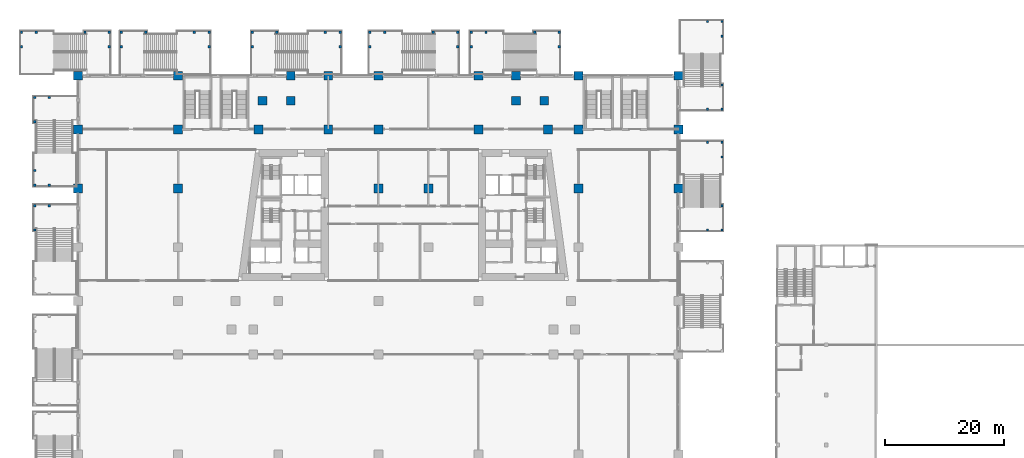
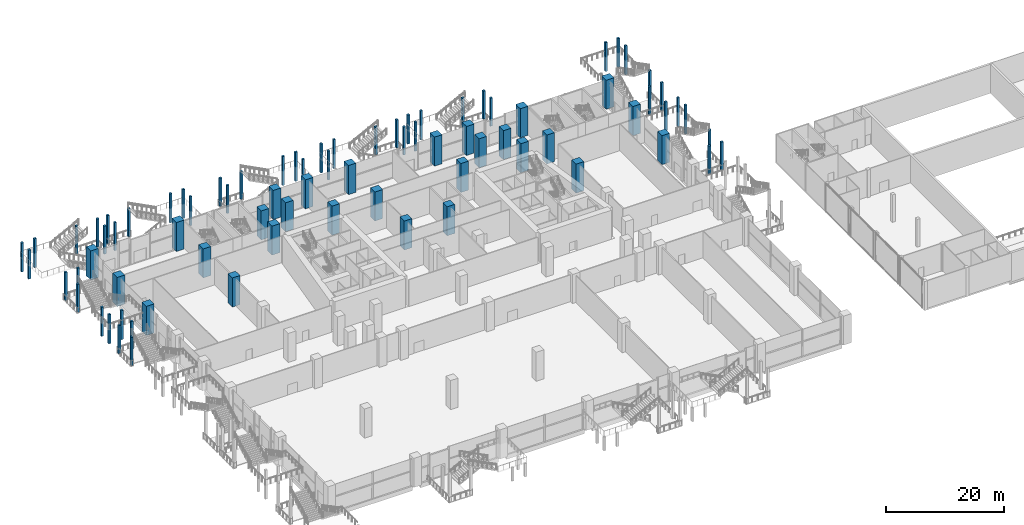
# One storey, part 2 of 49: 79 columns.
"""IFC4 building model written with IfcOpenShell, lengths in metres."""

from ifc_helpers import new_model, si_unit, direction, frame, origin, origin_2d, place, context, subcontext, project, spatial, rectangle, extrude, material, material_profile, profile_set, type_object, element, save


model = new_model("IFC4")

# Units and contexts
model_context = context("Model", 3, precision=1e-05, world=origin(), true_north=direction((0.0, 1.0)))
body_context = subcontext(model_context, "Body", "Model", "MODEL_VIEW")
ifc_project = project(units=[si_unit("LENGTHUNIT", "METRE"), si_unit("AREAUNIT", "SQUARE_METRE"), si_unit("VOLUMEUNIT", "CUBIC_METRE"), si_unit("PLANEANGLEUNIT", "RADIAN"), si_unit("MASSUNIT", "GRAM", prefix="KILO")], contexts=[model_context])

# Site, building, storey
site_placement = place(None, origin())
site = spatial("IfcSite", under=ifc_project, at=site_placement, CompositionType="ELEMENT")
building_placement = place(site_placement, origin())
building = spatial("IfcBuilding", under=site, at=building_placement, Name="Candeia Pilgrim Tower and Theatre", CompositionType="ELEMENT")
storey_placement = place(building_placement, frame((0.0, 0.0, 17.0)))
storey = spatial("IfcBuildingStorey", under=building, at=storey_placement, Name="L02", CompositionType="ELEMENT", Elevation=17.0)

# Columns
ifc_material_1 = material(Name="Concrete C40/50", Category="concrete")
ifc_material_profile_1 = material_profile(ifc_material_1, rectangle(XDim=0.39990234375, YDim=0.39990234375, at=origin_2d()))
ifc_profile_set_1 = profile_set([ifc_material_profile_1], Name="Concrete C40/50")
column_type_1 = type_object("IfcColumnType", Name="Escape stair column RC 400x400", PredefinedType="COLUMN", material=ifc_profile_set_1)
for number, where, z_axis, x_axis, name in (
    (1, (166.89990234375, 139.14990234375, 0.0), (0.0, 0.0, 1.0), (1.0, 0.0, 0.0), "External escape stair ES2 column N1.3"),
    (2, (166.89990234375, 143.25, 0.0), (0.0, 0.0, 1.0), (1.0, 0.0, 0.0), "External escape stair ES2 column N2.3"),
    (3, (164.47509765625, 139.14990234375, 0.0), (0.0, 0.0, 1.0), (1.0, 0.0, 0.0), "External escape stair ES2 column N3.3"),
):
    element("IfcColumn", number, at=place(storey_placement, frame(where, z_axis=z_axis, x_axis=x_axis)), inside=storey, type_object=column_type_1, Name=name, PredefinedType="COLUMN", context=body_context, shape_type="SweptSolid", body=[
        extrude(rectangle(XDim=0.39990234375, YDim=0.39990234375, at=origin_2d()), origin(), (0.0, 0.0, 1.0), 5.800048828125),
    ])
for number, where, z_axis, x_axis, name in (
    (4, (166.89990234375, 151.409912109375, 0.0), (0.0, 0.0, 1.0), (1.0, 0.0, 0.0), "External escape stair ES2 column F1.3"),
    (5, (166.89990234375, 153.909912109375, 0.0), (0.0, 0.0, 1.0), (1.0, 0.0, 0.0), "External escape stair ES2 column F2.3"),
    (6, (164.47509765625, 153.909912109375, 0.0), (0.0, 0.0, 1.0), (1.0, 0.0, 0.0), "External escape stair ES2 column F3.3"),
):
    element("IfcColumn", number, at=place(storey_placement, frame(where, z_axis=z_axis, x_axis=x_axis)), inside=storey, type_object=column_type_1, Name=name, PredefinedType="COLUMN", context=body_context, shape_type="SweptSolid", body=[
        extrude(rectangle(XDim=0.39990234375, YDim=0.39990234375, at=origin_2d()), origin(), (0.0, 0.0, 1.0), 6.0),
    ])
for number, where, z_axis, x_axis, name in (
    (7, (64.050048828125, 152.10009765625, 0.0), (0.0, 0.0, 1.0), (1.0, 0.0, 0.0), "External escape stair ES3 column N1.3"),
    (8, (59.949951171875, 152.10009765625, 0.0), (0.0, 0.0, 1.0), (1.0, 0.0, 0.0), "External escape stair ES3 column N2.3"),
    (9, (64.050048828125, 149.675048828125, 0.0), (0.0, 0.0, 1.0), (1.0, 0.0, 0.0), "External escape stair ES3 column N3.3"),
):
    element("IfcColumn", number, at=place(storey_placement, frame(where, z_axis=z_axis, x_axis=x_axis)), inside=storey, type_object=column_type_1, Name=name, PredefinedType="COLUMN", context=body_context, shape_type="SweptSolid", body=[
        extrude(rectangle(XDim=0.39990234375, YDim=0.39990234375, at=origin_2d()), origin(), (0.0, 0.0, 1.0), 5.800048828125),
    ])
for number, where, z_axis, x_axis, name in (
    (10, (51.7900390625, 152.10009765625, 0.0), (0.0, 0.0, 1.0), (1.0, 0.0, 0.0), "External escape stair ES3 column F1.3"),
    (11, (49.2900390625, 152.10009765625, 0.0), (0.0, 0.0, 1.0), (1.0, 0.0, 0.0), "External escape stair ES3 column F2.3"),
    (12, (49.2900390625, 149.675048828125, 0.0), (0.0, 0.0, 1.0), (1.0, 0.0, 0.0), "External escape stair ES3 column F3.3"),
):
    element("IfcColumn", number, at=place(storey_placement, frame(where, z_axis=z_axis, x_axis=x_axis)), inside=storey, type_object=column_type_1, Name=name, PredefinedType="COLUMN", context=body_context, shape_type="SweptSolid", body=[
        extrude(rectangle(XDim=0.39990234375, YDim=0.39990234375, at=origin_2d()), origin(), (0.0, 0.0, 1.0), 6.0),
    ])
for number, where, z_axis, x_axis, name in (
    (13, (66.050048828125, 152.10009765625, 0.0), (0.0, 0.0, 1.0), (1.0, 0.0, 0.0), "External escape stair ES4 column N1.3"),
    (14, (70.14990234375, 152.10009765625, 0.0), (0.0, 0.0, 1.0), (1.0, 0.0, 0.0), "External escape stair ES4 column N2.3"),
    (15, (66.050048828125, 149.675048828125, 0.0), (0.0, 0.0, 1.0), (1.0, 0.0, 0.0), "External escape stair ES4 column N3.3"),
):
    element("IfcColumn", number, at=place(storey_placement, frame(where, z_axis=z_axis, x_axis=x_axis)), inside=storey, type_object=column_type_1, Name=name, PredefinedType="COLUMN", context=body_context, shape_type="SweptSolid", body=[
        extrude(rectangle(XDim=0.39990234375, YDim=0.39990234375, at=origin_2d()), origin(), (0.0, 0.0, 1.0), 5.800048828125),
    ])
for number, where, z_axis, x_axis, name in (
    (16, (78.31005859375, 152.10009765625, 0.0), (0.0, 0.0, 1.0), (1.0, 0.0, 0.0), "External escape stair ES4 column F1.3"),
    (17, (80.81005859375, 152.10009765625, 0.0), (0.0, 0.0, 1.0), (1.0, 0.0, 0.0), "External escape stair ES4 column F2.3"),
    (18, (80.81005859375, 149.675048828125, 0.0), (0.0, 0.0, 1.0), (1.0, 0.0, 0.0), "External escape stair ES4 column F3.3"),
):
    element("IfcColumn", number, at=place(storey_placement, frame(where, z_axis=z_axis, x_axis=x_axis)), inside=storey, type_object=column_type_1, Name=name, PredefinedType="COLUMN", context=body_context, shape_type="SweptSolid", body=[
        extrude(rectangle(XDim=0.39990234375, YDim=0.39990234375, at=origin_2d()), origin(), (0.0, 0.0, 1.0), 6.0),
    ])
for number, where, z_axis, x_axis, name in (
    (19, (88.050048828125, 152.10009765625, 0.0), (0.0, 0.0, 1.0), (1.0, 0.0, 0.0), "External escape stair ES5 column N1.3"),
    (20, (92.14990234375, 152.10009765625, 0.0), (0.0, 0.0, 1.0), (1.0, 0.0, 0.0), "External escape stair ES5 column N2.3"),
    (21, (88.050048828125, 149.675048828125, 0.0), (0.0, 0.0, 1.0), (1.0, 0.0, 0.0), "External escape stair ES5 column N3.3"),
):
    element("IfcColumn", number, at=place(storey_placement, frame(where, z_axis=z_axis, x_axis=x_axis)), inside=storey, type_object=column_type_1, Name=name, PredefinedType="COLUMN", context=body_context, shape_type="SweptSolid", body=[
        extrude(rectangle(XDim=0.39990234375, YDim=0.39990234375, at=origin_2d()), origin(), (0.0, 0.0, 1.0), 5.800048828125),
    ])
for number, where, z_axis, x_axis, name in (
    (22, (100.31005859375, 152.10009765625, 0.0), (0.0, 0.0, 1.0), (1.0, 0.0, 0.0), "External escape stair ES5 column F1.3"),
    (23, (102.81005859375, 152.10009765625, 0.0), (0.0, 0.0, 1.0), (1.0, 0.0, 0.0), "External escape stair ES5 column F2.3"),
    (24, (102.81005859375, 149.675048828125, 0.0), (0.0, 0.0, 1.0), (1.0, 0.0, 0.0), "External escape stair ES5 column F3.3"),
):
    element("IfcColumn", number, at=place(storey_placement, frame(where, z_axis=z_axis, x_axis=x_axis)), inside=storey, type_object=column_type_1, Name=name, PredefinedType="COLUMN", context=body_context, shape_type="SweptSolid", body=[
        extrude(rectangle(XDim=0.39990234375, YDim=0.39990234375, at=origin_2d()), origin(), (0.0, 0.0, 1.0), 6.0),
    ])
for number, where, z_axis, x_axis, name in (
    (25, (122.550048828125, 152.10009765625, 0.0), (0.0, 0.0, 1.0), (1.0, 0.0, 0.0), "External escape stair ES6 column N1.3"),
    (26, (118.449951171875, 152.10009765625, 0.0), (0.0, 0.0, 1.0), (1.0, 0.0, 0.0), "External escape stair ES6 column N2.3"),
    (27, (122.550048828125, 149.675048828125, 0.0), (0.0, 0.0, 1.0), (1.0, 0.0, 0.0), "External escape stair ES6 column N3.3"),
):
    element("IfcColumn", number, at=place(storey_placement, frame(where, z_axis=z_axis, x_axis=x_axis)), inside=storey, type_object=column_type_1, Name=name, PredefinedType="COLUMN", context=body_context, shape_type="SweptSolid", body=[
        extrude(rectangle(XDim=0.39990234375, YDim=0.39990234375, at=origin_2d()), origin(), (0.0, 0.0, 1.0), 5.800048828125),
    ])
for number, where, z_axis, x_axis, name in (
    (28, (110.2900390625, 152.10009765625, 0.0), (0.0, 0.0, 1.0), (1.0, 0.0, 0.0), "External escape stair ES6 column F1.3"),
    (29, (107.7900390625, 152.10009765625, 0.0), (0.0, 0.0, 1.0), (1.0, 0.0, 0.0), "External escape stair ES6 column F2.3"),
    (30, (107.7900390625, 149.675048828125, 0.0), (0.0, 0.0, 1.0), (1.0, 0.0, 0.0), "External escape stair ES6 column F3.3"),
):
    element("IfcColumn", number, at=place(storey_placement, frame(where, z_axis=z_axis, x_axis=x_axis)), inside=storey, type_object=column_type_1, Name=name, PredefinedType="COLUMN", context=body_context, shape_type="SweptSolid", body=[
        extrude(rectangle(XDim=0.39990234375, YDim=0.39990234375, at=origin_2d()), origin(), (0.0, 0.0, 1.0), 6.0),
    ])
for number, where, z_axis, x_axis, name in (
    (31, (139.550048828125, 152.10009765625, 0.0), (0.0, 0.0, 1.0), (1.0, 0.0, 0.0), "External escape stair ES7 column N1.3"),
    (32, (135.449951171875, 152.10009765625, 0.0), (0.0, 0.0, 1.0), (1.0, 0.0, 0.0), "External escape stair ES7 column N2.3"),
    (33, (139.550048828125, 149.675048828125, 0.0), (0.0, 0.0, 1.0), (1.0, 0.0, 0.0), "External escape stair ES7 column N3.3"),
):
    element("IfcColumn", number, at=place(storey_placement, frame(where, z_axis=z_axis, x_axis=x_axis)), inside=storey, type_object=column_type_1, Name=name, PredefinedType="COLUMN", context=body_context, shape_type="SweptSolid", body=[
        extrude(rectangle(XDim=0.39990234375, YDim=0.39990234375, at=origin_2d()), origin(), (0.0, 0.0, 1.0), 5.800048828125),
    ])
for number, where, z_axis, x_axis, name in (
    (34, (127.2900390625, 152.10009765625, 0.0), (0.0, 0.0, 1.0), (1.0, 0.0, 0.0), "External escape stair ES7 column F1.3"),
    (35, (124.7900390625, 152.10009765625, 0.0), (0.0, 0.0, 1.0), (1.0, 0.0, 0.0), "External escape stair ES7 column F2.3"),
    (36, (124.7900390625, 149.675048828125, 0.0), (0.0, 0.0, 1.0), (1.0, 0.0, 0.0), "External escape stair ES7 column F3.3"),
):
    element("IfcColumn", number, at=place(storey_placement, frame(where, z_axis=z_axis, x_axis=x_axis)), inside=storey, type_object=column_type_1, Name=name, PredefinedType="COLUMN", context=body_context, shape_type="SweptSolid", body=[
        extrude(rectangle(XDim=0.39990234375, YDim=0.39990234375, at=origin_2d()), origin(), (0.0, 0.0, 1.0), 6.0),
    ])
for number, where, z_axis, x_axis, name in (
    (37, (51.5, 141.14990234375, 0.0), (0.0, 0.0, 1.0), (1.0, 0.0, 0.0), "External escape stair ES13 column N1.3"),
    (38, (51.5, 137.050048828125, 0.0), (0.0, 0.0, 1.0), (1.0, 0.0, 0.0), "External escape stair ES13 column N2.3"),
    (39, (53.925048828125, 141.14990234375, 0.0), (0.0, 0.0, 1.0), (1.0, 0.0, 0.0), "External escape stair ES13 column N3.3"),
):
    element("IfcColumn", number, at=place(storey_placement, frame(where, z_axis=z_axis, x_axis=x_axis)), inside=storey, type_object=column_type_1, Name=name, PredefinedType="COLUMN", context=body_context, shape_type="SweptSolid", body=[
        extrude(rectangle(XDim=0.39990234375, YDim=0.39990234375, at=origin_2d()), origin(), (0.0, 0.0, 1.0), 5.800048828125),
    ])
for number, where, z_axis, x_axis, name in (
    (40, (51.5, 128.889892578125, 0.0), (0.0, 0.0, 1.0), (1.0, 0.0, 0.0), "External escape stair ES13 column F1.3"),
    (41, (51.5, 126.389892578125, 0.0), (0.0, 0.0, 1.0), (1.0, 0.0, 0.0), "External escape stair ES13 column F2.3"),
    (42, (53.925048828125, 126.389892578125, 0.0), (0.0, 0.0, 1.0), (1.0, 0.0, 0.0), "External escape stair ES13 column F3.3"),
):
    element("IfcColumn", number, at=place(storey_placement, frame(where, z_axis=z_axis, x_axis=x_axis)), inside=storey, type_object=column_type_1, Name=name, PredefinedType="COLUMN", context=body_context, shape_type="SweptSolid", body=[
        extrude(rectangle(XDim=0.39990234375, YDim=0.39990234375, at=origin_2d()), origin(), (0.0, 0.0, 1.0), 6.0),
    ])
for number, where, z_axis, x_axis, name in (
    (43, (166.89990234375, 118.89990234375, 0.0), (0.0, 0.0, 1.0), (1.0, 0.0, 0.0), "External escape stair ES14 column N1.3"),
    (44, (166.89990234375, 123.0, 0.0), (0.0, 0.0, 1.0), (1.0, 0.0, 0.0), "External escape stair ES14 column N2.3"),
    (45, (164.47509765625, 118.89990234375, 0.0), (0.0, 0.0, 1.0), (1.0, 0.0, 0.0), "External escape stair ES14 column N3.3"),
):
    element("IfcColumn", number, at=place(storey_placement, frame(where, z_axis=z_axis, x_axis=x_axis)), inside=storey, type_object=column_type_1, Name=name, PredefinedType="COLUMN", context=body_context, shape_type="SweptSolid", body=[
        extrude(rectangle(XDim=0.39990234375, YDim=0.39990234375, at=origin_2d()), origin(), (0.0, 0.0, 1.0), 5.800048828125),
    ])
for number, where, z_axis, x_axis, name in (
    (46, (166.89990234375, 131.159912109375, 0.0), (0.0, 0.0, 1.0), (1.0, 0.0, 0.0), "External escape stair ES14 column F1.3"),
    (47, (166.89990234375, 133.659912109375, 0.0), (0.0, 0.0, 1.0), (1.0, 0.0, 0.0), "External escape stair ES14 column F2.3"),
    (48, (164.47509765625, 133.659912109375, 0.0), (0.0, 0.0, 1.0), (1.0, 0.0, 0.0), "External escape stair ES14 column F3.3"),
):
    element("IfcColumn", number, at=place(storey_placement, frame(where, z_axis=z_axis, x_axis=x_axis)), inside=storey, type_object=column_type_1, Name=name, PredefinedType="COLUMN", context=body_context, shape_type="SweptSolid", body=[
        extrude(rectangle(XDim=0.39990234375, YDim=0.39990234375, at=origin_2d()), origin(), (0.0, 0.0, 1.0), 6.0),
    ])
for number, where, z_axis, x_axis, name in (
    (49, (51.5, 123.0, 0.0), (0.0, 0.0, 1.0), (1.0, 0.0, 0.0), "External escape stair ES15 column N1.3"),
    (50, (51.5, 118.89990234375, 0.0), (0.0, 0.0, 1.0), (1.0, 0.0, 0.0), "External escape stair ES15 column N2.3"),
    (51, (53.925048828125, 123.0, 0.0), (0.0, 0.0, 1.0), (1.0, 0.0, 0.0), "External escape stair ES15 column N3.3"),
):
    element("IfcColumn", number, at=place(storey_placement, frame(where, z_axis=z_axis, x_axis=x_axis)), inside=storey, type_object=column_type_1, Name=name, PredefinedType="COLUMN", context=body_context, shape_type="SweptSolid", body=[
        extrude(rectangle(XDim=0.39990234375, YDim=0.39990234375, at=origin_2d()), origin(), (0.0, 0.0, 1.0), 5.800048828125),
    ])
ifc_material_2 = material(Name="Concrete C80/95", Category="concrete")
ifc_material_profile_2 = material_profile(ifc_material_2, rectangle(XDim=1.5, YDim=1.5, at=origin_2d()))
ifc_profile_set_2 = profile_set([ifc_material_profile_2], Name="Concrete C80/95")
column_type_2 = type_object("IfcColumnType", Name="RC 1500x1500 C80/95", PredefinedType="COLUMN", material=ifc_profile_set_2)
for number, where, z_axis, x_axis, name in (
    (52, (58.800048828125, 125.89990234375, 0.0), (0.0, 0.0, 1.0), (1.0, 0.0, 0.0), "Column P-0252+0279"),
    (53, (75.60009765625, 125.89990234375, 0.0), (0.0, 0.0, 1.0), (1.0, 0.0, 0.0), "Column P-0084+0279"),
    (54, (109.199951171875, 125.89990234375, 0.0), (0.0, 0.0, 1.0), (1.0, 0.0, 0.0), "Column P+0252+0279"),
    (55, (117.60009765625, 125.89990234375, 0.0), (0.0, 0.0, 1.0), (1.0, 0.0, 0.0), "Column P+0336+0279"),
    (56, (142.800048828125, 125.89990234375, 0.0), (0.0, 0.0, 1.0), (1.0, 0.0, 0.0), "Column P+0588+0279"),
    (57, (159.60009765625, 125.89990234375, 0.0), (0.0, 0.0, 1.0), (1.0, 0.0, 0.0), "Column P+0756+0279"),
    (58, (58.800048828125, 135.800048828125, 0.0), (0.0, 0.0, 1.0), (1.0, 0.0, 0.0), "Column P-0252+0378"),
    (59, (75.60009765625, 135.800048828125, 0.0), (0.0, 0.0, 1.0), (1.0, 0.0, 0.0), "Column P-0084+0378"),
    (60, (89.08837890625, 135.800048828125, 0.0), (0.0, 0.0, 1.0), (1.0, 0.0, 0.0), "Column P+0051+0378"),
    (61, (100.800048828125, 135.800048828125, 0.0), (0.0, 0.0, 1.0), (1.0, 0.0, 0.0), "Column P+0168+0378"),
    (62, (109.199951171875, 135.800048828125, 0.0), (0.0, 0.0, 1.0), (1.0, 0.0, 0.0), "Column P+0252+0378"),
    (63, (126.0, 135.800048828125, 0.0), (0.0, 0.0, 1.0), (1.0, 0.0, 0.0), "Column P+0420+0378"),
    (64, (137.71142578125, 135.800048828125, 0.0), (0.0, 0.0, 1.0), (1.0, 0.0, 0.0), "Column P+0537+0378"),
    (65, (142.800048828125, 135.800048828125, 0.0), (0.0, 0.0, 1.0), (1.0, 0.0, 0.0), "Column P+0588+0378"),
    (66, (159.60009765625, 135.800048828125, 0.0), (0.0, 0.0, 1.0), (1.0, 0.0, 0.0), "Column P+0756+0378"),
    (67, (89.734619140625, 140.60009765625, 0.0), (0.0, 0.0, 1.0), (1.0, 0.0, 0.0), "Column P+0057+0426"),
    (68, (94.5, 140.60009765625, 0.0), (0.0, 0.0, 1.0), (1.0, 0.0, 0.0), "Column P+0105+0426"),
    (69, (132.300048828125, 140.60009765625, 0.0), (0.0, 0.0, 1.0), (1.0, 0.0, 0.0), "Column P+0483+0426"),
    (70, (137.0654296875, 140.60009765625, 0.0), (0.0, 0.0, 1.0), (1.0, 0.0, 0.0), "Column P+0531+0426"),
    (71, (58.800048828125, 144.800048828125, 0.0), (0.0, 0.0, 1.0), (1.0, 0.0, 0.0), "Column P-0252+0468"),
    (72, (75.60009765625, 144.800048828125, 0.0), (0.0, 0.0, 1.0), (1.0, 0.0, 0.0), "Column P-0084+0468"),
    (73, (94.5, 144.800048828125, 0.0), (0.0, 0.0, 1.0), (1.0, 0.0, 0.0), "Column P+0105+0468"),
    (74, (100.800048828125, 144.800048828125, 0.0), (0.0, 0.0, 1.0), (1.0, 0.0, 0.0), "Column P+0168+0468"),
    (75, (109.199951171875, 144.800048828125, 0.0), (0.0, 0.0, 1.0), (1.0, 0.0, 0.0), "Column P+0252+0468"),
    (76, (126.0, 144.800048828125, 0.0), (0.0, 0.0, 1.0), (1.0, 0.0, 0.0), "Column P+0420+0468"),
    (77, (132.300048828125, 144.800048828125, 0.0), (0.0, 0.0, 1.0), (1.0, 0.0, 0.0), "Column P+0483+0468"),
    (78, (142.800048828125, 144.800048828125, 0.0), (0.0, 0.0, 1.0), (1.0, 0.0, 0.0), "Column P+0588+0468"),
    (79, (159.60009765625, 144.800048828125, 0.0), (0.0, 0.0, 1.0), (1.0, 0.0, 0.0), "Column P+0756+0468"),
):
    element("IfcColumn", number, at=place(storey_placement, frame(where, z_axis=z_axis, x_axis=x_axis)), inside=storey, type_object=column_type_2, Name=name, PredefinedType="COLUMN", context=body_context, shape_type="SweptSolid", body=[
        extrude(rectangle(XDim=1.5, YDim=1.5, at=origin_2d()), origin(), (0.0, 0.0, 1.0), 6.0),
    ])

save(model, "model.ifc")
